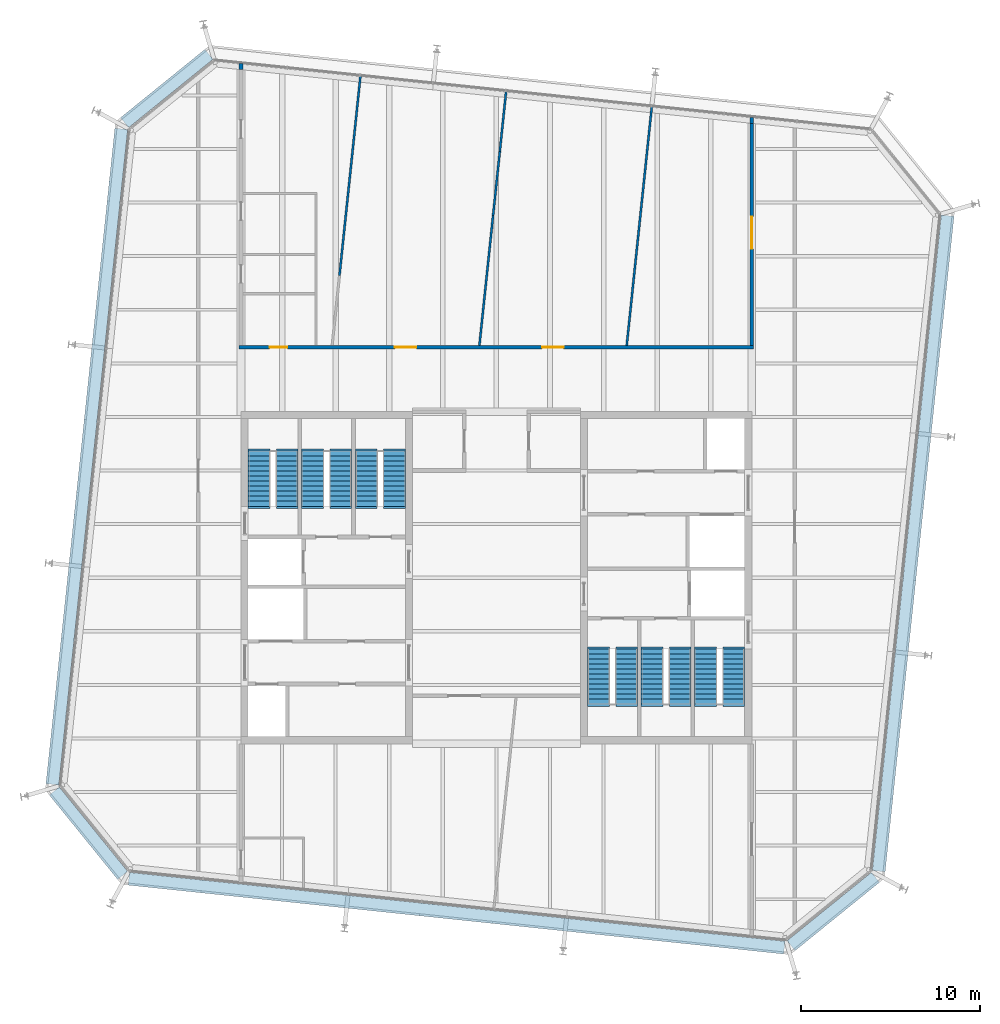
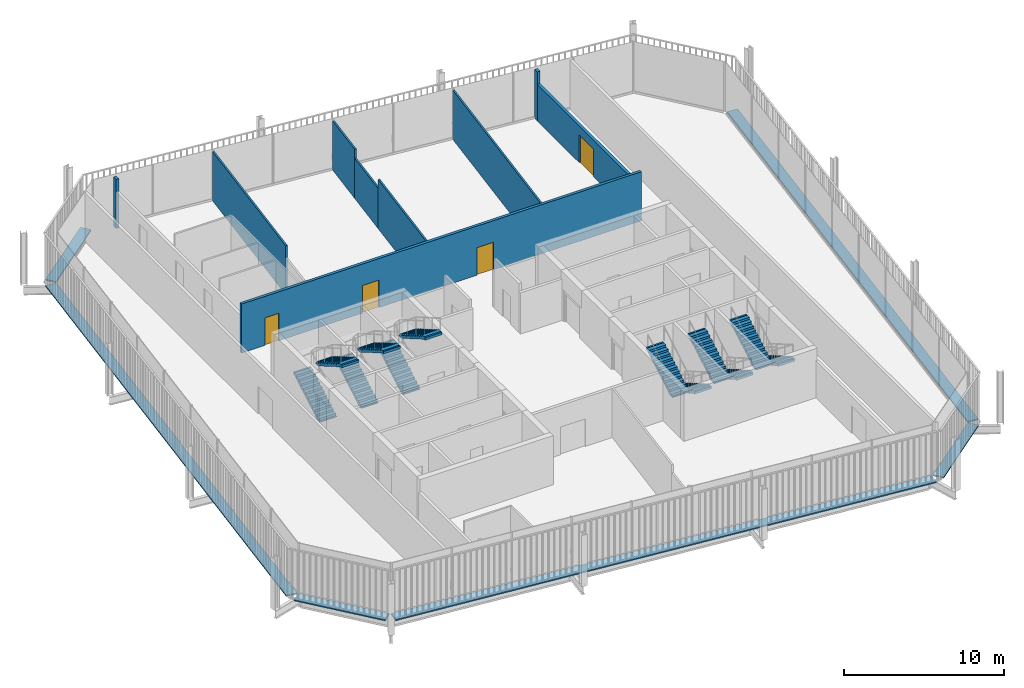
# One storey, part 18 of 20: 12 stair flights, 9 walls, 6 discrete accessories, 4 doors, 4 openings, 6 elements without a shape of their own.
"""IFC4 building model written with IfcOpenShell, lengths in metres."""

from ifc_helpers import new_model, si_unit, direction, frame, frame_2d, origin, origin_2d, place, context, subcontext, project, spatial, polyline, rectangle, outline, extrude, material, layer, layer_set, type_object, element, fill, aggregate, save


model = new_model("IFC4")

# Units and contexts
model_context = context("Model", 3, precision=1e-05, world=origin(), true_north=direction((0.0, 1.0)))
body_context = subcontext(model_context, "Body", "Model", "MODEL_VIEW")
ifc_project = project(units=[si_unit("LENGTHUNIT", "METRE"), si_unit("AREAUNIT", "SQUARE_METRE"), si_unit("VOLUMEUNIT", "CUBIC_METRE"), si_unit("PLANEANGLEUNIT", "RADIAN"), si_unit("MASSUNIT", "GRAM", prefix="KILO")], contexts=[model_context])

# Site, building, storey
site_placement = place(None, origin())
site = spatial("IfcSite", under=ifc_project, at=site_placement, CompositionType="ELEMENT")
building_placement = place(site_placement, origin())
building = spatial("IfcBuilding", under=site, at=building_placement, Name="Millrace Tower", CompositionType="ELEMENT")
storey_placement = place(building_placement, frame((0.0, 0.0, 330.39990234375)))
storey = spatial("IfcBuildingStorey", under=building, at=storey_placement, Name="L76", CompositionType="ELEMENT", Elevation=330.39990234375)

# Wall, openings, doors
ifc_material_1 = material(Name="Masonry partition, fire-rated", Category="masonry")
ifc_layer_1 = layer(ifc_material_1, 0.199951171875)
ifc_layer_set_1 = layer_set([ifc_layer_1], Name="Masonry partition, fire-rated")
wall_type_1 = type_object("IfcWallType", Name="Corridor wall 200", PredefinedType="PARTITIONING", material=ifc_layer_set_1)
wall_1_placement = place(storey_placement, frame((-14.39990234375, 12.89990234375, 0.0), z_axis=(0.0, 0.0, 1.0), x_axis=(1.0, 0.0, 0.0)))
wall_1 = element("IfcWall", 1, at=wall_1_placement, inside=storey, type_object=wall_type_1, Name="Corridor wall L76", PredefinedType="PARTITIONING", context=body_context, shape_type="SweptSolid", body=[
    extrude(rectangle(XDim=28.7998046875, YDim=0.199951171875, at=frame_2d((14.39990234375, 0.0))), origin(), (0.0, 0.0, 1.0), 3.739990234375),
])
opening_1_placement = place(wall_1_placement, frame((1.699951171875, 0.0, 0.0)))
opening_1 = element("IfcOpeningElement", 2, at=opening_1_placement, cuts=wall_1, Name="Opening 76-P005", PredefinedType="OPENING", context=body_context, shape_type="SweptSolid", body=[
    extrude(rectangle(XDim=1.0, YDim=2.10009765625, at=frame_2d((0.5, 1.050048828125))), frame((0.0, 0.10986328125, 0.0), z_axis=(0.0, -1.0, 0.0), x_axis=(1.0, 0.0, 0.0)), (0.0, 0.0, 1.0), 0.219970703125),
])
opening_2_placement = place(wall_1_placement, frame((8.714599609375, 0.0, 0.0)))
opening_2 = element("IfcOpeningElement", 3, at=opening_2_placement, cuts=wall_1, Name="Opening 76-P008", PredefinedType="OPENING", context=body_context, shape_type="SweptSolid", body=[
    extrude(rectangle(XDim=1.199951171875, YDim=2.10009765625, at=frame_2d((0.60009765625, 1.050048828125))), frame((0.0, 0.10986328125, 0.0), z_axis=(0.0, -1.0, 0.0), x_axis=(1.0, 0.0, 0.0)), (0.0, 0.0, 1.0), 0.219970703125),
])
opening_3_placement = place(wall_1_placement, frame((16.9599609375, 0.0, 0.0)))
opening_3 = element("IfcOpeningElement", 4, at=opening_3_placement, cuts=wall_1, Name="Opening 76-P009", PredefinedType="OPENING", context=body_context, shape_type="SweptSolid", body=[
    extrude(rectangle(XDim=1.199951171875, YDim=2.10009765625, at=frame_2d((0.60009765625, 1.050048828125))), frame((0.0, 0.10986328125, 0.0), z_axis=(0.0, -1.0, 0.0), x_axis=(1.0, 0.0, 0.0)), (0.0, 0.0, 1.0), 0.219970703125),
])
ifc_material_2 = material(Name="Steel door set, fire-rated", Category="steel")
door_type_1 = type_object("IfcDoorType", Name="Corridor door 1000 x 2100", OperationType="SINGLE_SWING_LEFT", PredefinedType="DOOR", material=ifc_material_2)
door_1_placement = place(opening_1_placement, origin())
door_1 = element("IfcDoor", 5, at=door_1_placement, inside=storey, type_object=door_type_1, Name="Door 76-P005", OperationType="SINGLE_SWING_LEFT", OverallHeight=2.10009765625, OverallWidth=1.0, PredefinedType="DOOR", context=body_context, shape_type="SweptSolid", body=[
    extrude(rectangle(XDim=1.0, YDim=2.10009765625, at=frame_2d((0.5, 1.050048828125))), frame((0.0, 0.02490234375, 0.0), z_axis=(0.0, -1.0, 0.0), x_axis=(1.0, 0.0, 0.0)), (0.0, 0.0, 1.0), 0.050048828125),
])
fill(opening_1, door_1)
ifc_material_3 = material(Name="Steel door set, fire-rated", Category="steel")
door_type_2 = type_object("IfcDoorType", Name="Corridor door 1200 x 2100", OperationType="SINGLE_SWING_LEFT", PredefinedType="DOOR", material=ifc_material_3)
door_2_placement = place(opening_2_placement, origin())
door_2 = element("IfcDoor", 6, at=door_2_placement, inside=storey, type_object=door_type_2, Name="Door 76-P008", OperationType="SINGLE_SWING_LEFT", OverallHeight=2.10009765625, OverallWidth=1.199951171875, PredefinedType="DOOR", context=body_context, shape_type="SweptSolid", body=[
    extrude(rectangle(XDim=1.199951171875, YDim=2.10009765625, at=frame_2d((0.60009765625, 1.050048828125))), frame((0.0, 0.02490234375, 0.0), z_axis=(0.0, -1.0, 0.0), x_axis=(1.0, 0.0, 0.0)), (0.0, 0.0, 1.0), 0.050048828125),
])
fill(opening_2, door_2)
door_3_placement = place(opening_3_placement, origin())
door_3 = element("IfcDoor", 7, at=door_3_placement, inside=storey, type_object=door_type_2, Name="Door 76-P009", OperationType="SINGLE_SWING_RIGHT", OverallHeight=2.10009765625, OverallWidth=1.199951171875, PredefinedType="DOOR", context=body_context, shape_type="SweptSolid", body=[
    extrude(rectangle(XDim=1.199951171875, YDim=2.10009765625, at=frame_2d((0.60009765625, 1.050048828125))), frame((0.0, 0.02490234375, 0.0), z_axis=(0.0, -1.0, 0.0), x_axis=(1.0, 0.0, 0.0)), (0.0, 0.0, 1.0), 0.050048828125),
])
fill(opening_3, door_3)

# Wall, opening, door
wall_2_placement = place(storey_placement, frame((14.300048828125, 13.0, 0.0), z_axis=(0.0, 0.0, 1.0), x_axis=(0.0, 1.0, 0.0)))
wall_2 = element("IfcWall", 8, at=wall_2_placement, inside=storey, type_object=wall_type_1, Name="Corridor wall L76", PredefinedType="PARTITIONING", context=body_context, shape_type="SweptSolid", body=[
    extrude(rectangle(XDim=12.434326171875, YDim=0.199951171875, at=frame_2d((6.21728515625, 0.0))), origin(), (0.0, 0.0, 1.0), 2.792724609375),
])
opening_4_placement = place(wall_2_placement, frame((5.41162109375, 0.0, 0.0)))
opening_4 = element("IfcOpeningElement", 9, at=opening_4_placement, cuts=wall_2, Name="Opening 76-P010", PredefinedType="OPENING", context=body_context, shape_type="SweptSolid", body=[
    extrude(rectangle(XDim=1.800048828125, YDim=2.10009765625, at=frame_2d((0.89990234375, 1.050048828125))), frame((0.0, 0.10986328125, 0.0), z_axis=(0.0, -1.0, 0.0), x_axis=(1.0, 0.0, 0.0)), (0.0, 0.0, 1.0), 0.219970703125),
])
ifc_material_4 = material(Name="Steel door set, fire-rated", Category="steel")
door_type_3 = type_object("IfcDoorType", Name="Corridor door 1800 x 2100", OperationType="DOUBLE_DOOR_SINGLE_SWING", PredefinedType="DOOR", material=ifc_material_4)
door_4_placement = place(opening_4_placement, origin())
door_4 = element("IfcDoor", 10, at=door_4_placement, inside=storey, type_object=door_type_3, Name="Door 76-P010", OperationType="DOUBLE_DOOR_SINGLE_SWING", OverallHeight=2.10009765625, OverallWidth=1.800048828125, PredefinedType="DOOR", context=body_context, shape_type="SweptSolid", body=[
    extrude(rectangle(XDim=1.800048828125, YDim=2.10009765625, at=frame_2d((0.89990234375, 1.050048828125))), frame((0.0, 0.02490234375, 0.0), z_axis=(0.0, -1.0, 0.0), x_axis=(1.0, 0.0, 0.0)), (0.0, 0.0, 1.0), 0.050048828125),
])
fill(opening_4, door_4)

# Walls
wall_3_placement = place(storey_placement, frame((14.300048828125, 25.434326171875, 0.0), z_axis=(0.0, 0.0, 1.0), x_axis=(0.0, 1.0, 0.0)))
element("IfcWall", 11, at=wall_3_placement, inside=storey, type_object=wall_type_1, Name="Corridor wall L76", PredefinedType="PARTITIONING", context=body_context, shape_type="SweptSolid", body=[
    extrude(rectangle(XDim=0.339111328125, YDim=0.199951171875, at=frame_2d((0.16943359375, 0.0))), origin(), (0.0, 0.0, 1.0), 3.739990234375),
])
wall_4_placement = place(storey_placement, frame((-14.300048828125, 28.440185546875, 0.0), z_axis=(0.0, 0.0, 1.0), x_axis=(0.0, 1.0, 0.0)))
element("IfcWall", 12, at=wall_4_placement, inside=storey, type_object=wall_type_1, Name="Corridor wall L76", PredefinedType="PARTITIONING", context=body_context, shape_type="SweptSolid", body=[
    extrude(rectangle(XDim=0.33935546875, YDim=0.199951171875, at=frame_2d((0.169677734375, 0.0))), origin(), (0.0, 0.0, 1.0), 3.739990234375),
])
ifc_material_5 = material(Name="Gypsum board partition")
ifc_layer_2 = layer(ifc_material_5, 0.1201171875)
ifc_layer_set_2 = layer_set([ifc_layer_2], Name="Gypsum board partition")
wall_type_2 = type_object("IfcWallType", Name="Partition wall 120", PredefinedType="PARTITIONING", material=ifc_layer_set_2)
wall_5_placement = place(storey_placement, frame((7.29345703125, 12.99951171875, 0.0), z_axis=(0.0, 0.0, 1.0), x_axis=(0.104478587956, 0.99452713621, 0.0)))
element("IfcWall", 13, at=wall_5_placement, inside=storey, type_object=wall_type_2, Name="Partition wall L76", PredefinedType="PARTITIONING", context=body_context, shape_type="SweptSolid", body=[
    extrude(rectangle(XDim=13.436279296875, YDim=0.1201171875, at=frame_2d((6.71826171875, 0.0))), origin(), (0.0, 0.0, 1.0), 3.739990234375),
])
wall_6_placement = place(storey_placement, frame((-0.95263671875, 12.99951171875, 0.0), z_axis=(0.0, 0.0, 1.0), x_axis=(0.104545776882, 0.994520075482, 0.0)))
element("IfcWall", 14, at=wall_6_placement, inside=storey, type_object=wall_type_2, Name="Partition wall L76", PredefinedType="PARTITIONING", context=body_context, shape_type="SweptSolid", body=[
    extrude(rectangle(XDim=7.31396484375, YDim=0.1201171875, at=frame_2d((3.656982421875, 0.0))), origin(), (0.0, 0.0, 1.0), 3.739990234375),
])
wall_7_placement = place(storey_placement, frame((-0.18798828125, 20.2734375, 0.0), z_axis=(0.0, 0.0, 1.0), x_axis=(0.104564611651, 0.994518095356, 0.0)))
element("IfcWall", 15, at=wall_7_placement, inside=storey, type_object=wall_type_2, Name="Partition wall L76", PredefinedType="PARTITIONING", context=body_context, shape_type="SweptSolid", body=[
    extrude(rectangle(XDim=3.595703125, YDim=0.1201171875, at=frame_2d((1.7978515625, 0.0))), origin(), (0.0, 0.0, 1.0), 3.046630859375),
])
wall_8_placement = place(storey_placement, frame((0.18798828125, 23.849365234375, 0.0), z_axis=(0.0, 0.0, 1.0), x_axis=(0.104538520452, 0.994520838264, 0.0)))
element("IfcWall", 16, at=wall_8_placement, inside=storey, type_object=wall_type_2, Name="Partition wall L76", PredefinedType="PARTITIONING", context=body_context, shape_type="SweptSolid", body=[
    extrude(rectangle(XDim=3.388671875, YDim=0.1201171875, at=frame_2d((1.6943359375, 0.0))), origin(), (0.0, 0.0, 1.0), 3.739990234375),
])
wall_9_placement = place(storey_placement, frame((-8.78662109375, 16.90869140625, 0.0), z_axis=(0.0, 0.0, 1.0), x_axis=(0.10453086869, 0.994521642545, 0.0)))
element("IfcWall", 17, at=wall_9_placement, inside=storey, type_object=wall_type_2, Name="Partition wall L76", PredefinedType="PARTITIONING", context=body_context, shape_type="SweptSolid", body=[
    extrude(rectangle(XDim=11.2294921875, YDim=0.1201171875, at=frame_2d((5.61474609375, 0.0))), origin(), (0.0, 0.0, 1.0), 3.739990234375),
])

# Stair, stair flights
ifc_material_6 = material(Name="Concrete C35", Category="concrete")
stair_type = type_object("IfcStairType", Name="Exit stair", PredefinedType="HALF_TURN_STAIR", material=ifc_material_6)
placement = place(storey_placement, origin())
stair_1 = element("IfcStair", 18, at=placement, inside=storey, type_object=stair_type, Name="Stair 1 W L76", PredefinedType="HALF_TURN_STAIR")
ifc_material_7 = material(Name="Concrete C35", Category="concrete")
stair_flight_type = type_object("IfcStairFlightType", Name="Exit stair flight", PredefinedType="STRAIGHT", material=ifc_material_7)
stair_flight_1_placement = place(storey_placement, frame((-13.2900390625, 4.0, 0.0), z_axis=(0.0, 0.0, 1.0), x_axis=(0.0, 1.0, 0.0)))
stair_flight_1 = element("IfcStairFlight", 19, at=stair_flight_1_placement, type_object=stair_flight_type, Name="ST12 flight 1", NumberOfRisers=12, NumberOfTreads=11, PredefinedType="STRAIGHT", RiserHeight=0.1625, TreadLength=0.28, context=body_context, shape_type="SweptSolid", body=[
    extrude(outline(polyline([(-0.1201171875, -0.0400390625), (-0.1201171875, 0.0), (0.0, 0.0), (0.0, 0.16259765625), (0.280029296875, 0.16259765625), (0.280029296875, 0.324951171875), (0.56005859375, 0.324951171875), (0.56005859375, 0.487548828125), (0.840087890625, 0.487548828125), (0.840087890625, 0.64990234375), (1.1201171875, 0.64990234375), (1.1201171875, 0.8125), (1.39990234375, 0.8125), (1.39990234375, 0.97509765625), (1.679931640625, 0.97509765625), (1.679931640625, 1.137451171875), (1.9599609375, 1.137451171875), (1.9599609375, 1.300048828125), (2.239990234375, 1.300048828125), (2.239990234375, 1.46240234375), (2.52001953125, 1.46240234375), (2.52001953125, 1.625), (2.800048828125, 1.625), (2.800048828125, 1.78759765625), (3.080078125, 1.78759765625), (3.080078125, 1.8076171875), (3.199951171875, 1.8076171875), (3.199951171875, 1.6142578125), (3.080078125, 1.6142578125), (0.298583984375, 0.0), (0.298583984375, -0.0400390625), (-0.1201171875, -0.0400390625)])), frame((0.0, 0.60986328125, 0.0), z_axis=(0.0, -1.0, 0.0), x_axis=(1.0, 0.0, 0.0)), (0.0, 0.0, 1.0), 1.219970703125),
])
stair_flight_2_placement = place(storey_placement, frame((-11.7099609375, 7.080078125, 1.9501953125), z_axis=(0.0, 0.0, 1.0), x_axis=(0.0, -1.0, 0.0)))
stair_flight_2 = element("IfcStairFlight", 20, at=stair_flight_2_placement, type_object=stair_flight_type, Name="ST12 flight 2", NumberOfRisers=12, NumberOfTreads=11, PredefinedType="STRAIGHT", RiserHeight=0.1625, TreadLength=0.28, context=body_context, shape_type="SweptSolid", body=[
    extrude(outline(polyline([(-0.1201171875, -0.0400390625), (-0.1201171875, 0.0), (0.0, 0.0), (0.0, 0.16259765625), (0.280029296875, 0.16259765625), (0.280029296875, 0.324951171875), (0.56005859375, 0.324951171875), (0.56005859375, 0.487548828125), (0.840087890625, 0.487548828125), (0.840087890625, 0.64990234375), (1.1201171875, 0.64990234375), (1.1201171875, 0.8125), (1.39990234375, 0.8125), (1.39990234375, 0.97509765625), (1.679931640625, 0.97509765625), (1.679931640625, 1.137451171875), (1.9599609375, 1.137451171875), (1.9599609375, 1.300048828125), (2.239990234375, 1.300048828125), (2.239990234375, 1.46240234375), (2.52001953125, 1.46240234375), (2.52001953125, 1.625), (2.800048828125, 1.625), (2.800048828125, 1.78759765625), (3.080078125, 1.78759765625), (3.080078125, 1.8076171875), (3.199951171875, 1.8076171875), (3.199951171875, 1.6142578125), (3.080078125, 1.6142578125), (0.298583984375, 0.0), (0.298583984375, -0.0400390625), (-0.1201171875, -0.0400390625)])), frame((0.0, 0.60986328125, 0.0), z_axis=(0.0, -1.0, 0.0), x_axis=(1.0, 0.0, 0.0)), (0.0, 0.0, 1.0), 1.219970703125),
])
aggregate(stair_1, [stair_flight_1, stair_flight_2])

stair_2 = element("IfcStair", 21, at=placement, inside=storey, type_object=stair_type, Name="Stair 2 W L76", PredefinedType="HALF_TURN_STAIR")
stair_flight_3_placement = place(storey_placement, frame((-10.2900390625, 4.0, 0.0), z_axis=(0.0, 0.0, 1.0), x_axis=(0.0, 1.0, 0.0)))
stair_flight_3 = element("IfcStairFlight", 22, at=stair_flight_3_placement, type_object=stair_flight_type, Name="ST12 flight 1", NumberOfRisers=12, NumberOfTreads=11, PredefinedType="STRAIGHT", RiserHeight=0.1625, TreadLength=0.28, context=body_context, shape_type="SweptSolid", body=[
    extrude(outline(polyline([(-0.1201171875, -0.0400390625), (-0.1201171875, 0.0), (0.0, 0.0), (0.0, 0.16259765625), (0.280029296875, 0.16259765625), (0.280029296875, 0.324951171875), (0.56005859375, 0.324951171875), (0.56005859375, 0.487548828125), (0.840087890625, 0.487548828125), (0.840087890625, 0.64990234375), (1.1201171875, 0.64990234375), (1.1201171875, 0.8125), (1.39990234375, 0.8125), (1.39990234375, 0.97509765625), (1.679931640625, 0.97509765625), (1.679931640625, 1.137451171875), (1.9599609375, 1.137451171875), (1.9599609375, 1.300048828125), (2.239990234375, 1.300048828125), (2.239990234375, 1.46240234375), (2.52001953125, 1.46240234375), (2.52001953125, 1.625), (2.800048828125, 1.625), (2.800048828125, 1.78759765625), (3.080078125, 1.78759765625), (3.080078125, 1.8076171875), (3.199951171875, 1.8076171875), (3.199951171875, 1.6142578125), (3.080078125, 1.6142578125), (0.298583984375, 0.0), (0.298583984375, -0.0400390625), (-0.1201171875, -0.0400390625)])), frame((0.0, 0.60986328125, 0.0), z_axis=(0.0, -1.0, 0.0), x_axis=(1.0, 0.0, 0.0)), (0.0, 0.0, 1.0), 1.219970703125),
])
stair_flight_4_placement = place(storey_placement, frame((-8.7099609375, 7.080078125, 1.9501953125), z_axis=(0.0, 0.0, 1.0), x_axis=(0.0, -1.0, 0.0)))
stair_flight_4 = element("IfcStairFlight", 23, at=stair_flight_4_placement, type_object=stair_flight_type, Name="ST12 flight 2", NumberOfRisers=12, NumberOfTreads=11, PredefinedType="STRAIGHT", RiserHeight=0.1625, TreadLength=0.28, context=body_context, shape_type="SweptSolid", body=[
    extrude(outline(polyline([(-0.1201171875, -0.0400390625), (-0.1201171875, 0.0), (0.0, 0.0), (0.0, 0.16259765625), (0.280029296875, 0.16259765625), (0.280029296875, 0.324951171875), (0.56005859375, 0.324951171875), (0.56005859375, 0.487548828125), (0.840087890625, 0.487548828125), (0.840087890625, 0.64990234375), (1.1201171875, 0.64990234375), (1.1201171875, 0.8125), (1.39990234375, 0.8125), (1.39990234375, 0.97509765625), (1.679931640625, 0.97509765625), (1.679931640625, 1.137451171875), (1.9599609375, 1.137451171875), (1.9599609375, 1.300048828125), (2.239990234375, 1.300048828125), (2.239990234375, 1.46240234375), (2.52001953125, 1.46240234375), (2.52001953125, 1.625), (2.800048828125, 1.625), (2.800048828125, 1.78759765625), (3.080078125, 1.78759765625), (3.080078125, 1.8076171875), (3.199951171875, 1.8076171875), (3.199951171875, 1.6142578125), (3.080078125, 1.6142578125), (0.298583984375, 0.0), (0.298583984375, -0.0400390625), (-0.1201171875, -0.0400390625)])), frame((0.0, 0.60986328125, 0.0), z_axis=(0.0, -1.0, 0.0), x_axis=(1.0, 0.0, 0.0)), (0.0, 0.0, 1.0), 1.219970703125),
])
aggregate(stair_2, [stair_flight_3, stair_flight_4])

stair_3 = element("IfcStair", 24, at=placement, inside=storey, type_object=stair_type, Name="Stair 3 W L76", PredefinedType="HALF_TURN_STAIR")
stair_flight_5_placement = place(storey_placement, frame((-7.2900390625, 4.0, 0.0), z_axis=(0.0, 0.0, 1.0), x_axis=(0.0, 1.0, 0.0)))
stair_flight_5 = element("IfcStairFlight", 25, at=stair_flight_5_placement, type_object=stair_flight_type, Name="ST12 flight 1", NumberOfRisers=12, NumberOfTreads=11, PredefinedType="STRAIGHT", RiserHeight=0.1625, TreadLength=0.28, context=body_context, shape_type="SweptSolid", body=[
    extrude(outline(polyline([(-0.1201171875, -0.0400390625), (-0.1201171875, 0.0), (0.0, 0.0), (0.0, 0.16259765625), (0.280029296875, 0.16259765625), (0.280029296875, 0.324951171875), (0.56005859375, 0.324951171875), (0.56005859375, 0.487548828125), (0.840087890625, 0.487548828125), (0.840087890625, 0.64990234375), (1.1201171875, 0.64990234375), (1.1201171875, 0.8125), (1.39990234375, 0.8125), (1.39990234375, 0.97509765625), (1.679931640625, 0.97509765625), (1.679931640625, 1.137451171875), (1.9599609375, 1.137451171875), (1.9599609375, 1.300048828125), (2.239990234375, 1.300048828125), (2.239990234375, 1.46240234375), (2.52001953125, 1.46240234375), (2.52001953125, 1.625), (2.800048828125, 1.625), (2.800048828125, 1.78759765625), (3.080078125, 1.78759765625), (3.080078125, 1.8076171875), (3.199951171875, 1.8076171875), (3.199951171875, 1.6142578125), (3.080078125, 1.6142578125), (0.298583984375, 0.0), (0.298583984375, -0.0400390625), (-0.1201171875, -0.0400390625)])), frame((0.0, 0.60986328125, 0.0), z_axis=(0.0, -1.0, 0.0), x_axis=(1.0, 0.0, 0.0)), (0.0, 0.0, 1.0), 1.219970703125),
])
stair_flight_6_placement = place(storey_placement, frame((-5.7099609375, 7.080078125, 1.9501953125), z_axis=(0.0, 0.0, 1.0), x_axis=(0.0, -1.0, 0.0)))
stair_flight_6 = element("IfcStairFlight", 26, at=stair_flight_6_placement, type_object=stair_flight_type, Name="ST12 flight 2", NumberOfRisers=12, NumberOfTreads=11, PredefinedType="STRAIGHT", RiserHeight=0.1625, TreadLength=0.28, context=body_context, shape_type="SweptSolid", body=[
    extrude(outline(polyline([(-0.1201171875, -0.0400390625), (-0.1201171875, 0.0), (0.0, 0.0), (0.0, 0.16259765625), (0.280029296875, 0.16259765625), (0.280029296875, 0.324951171875), (0.56005859375, 0.324951171875), (0.56005859375, 0.487548828125), (0.840087890625, 0.487548828125), (0.840087890625, 0.64990234375), (1.1201171875, 0.64990234375), (1.1201171875, 0.8125), (1.39990234375, 0.8125), (1.39990234375, 0.97509765625), (1.679931640625, 0.97509765625), (1.679931640625, 1.137451171875), (1.9599609375, 1.137451171875), (1.9599609375, 1.300048828125), (2.239990234375, 1.300048828125), (2.239990234375, 1.46240234375), (2.52001953125, 1.46240234375), (2.52001953125, 1.625), (2.800048828125, 1.625), (2.800048828125, 1.78759765625), (3.080078125, 1.78759765625), (3.080078125, 1.8076171875), (3.199951171875, 1.8076171875), (3.199951171875, 1.6142578125), (3.080078125, 1.6142578125), (0.298583984375, 0.0), (0.298583984375, -0.0400390625), (-0.1201171875, -0.0400390625)])), frame((0.0, 0.60986328125, 0.0), z_axis=(0.0, -1.0, 0.0), x_axis=(1.0, 0.0, 0.0)), (0.0, 0.0, 1.0), 1.219970703125),
])
aggregate(stair_3, [stair_flight_5, stair_flight_6])

stair_4 = element("IfcStair", 27, at=placement, inside=storey, type_object=stair_type, Name="Stair 1 E L76", PredefinedType="HALF_TURN_STAIR")
stair_flight_7_placement = place(storey_placement, frame((13.2900390625, -4.0, 0.0), z_axis=(0.0, 0.0, 1.0), x_axis=(0.0, -1.0, 0.0)))
stair_flight_7 = element("IfcStairFlight", 28, at=stair_flight_7_placement, type_object=stair_flight_type, Name="ST12 flight 1", NumberOfRisers=12, NumberOfTreads=11, PredefinedType="STRAIGHT", RiserHeight=0.1625, TreadLength=0.28, context=body_context, shape_type="SweptSolid", body=[
    extrude(outline(polyline([(-0.1201171875, -0.0400390625), (-0.1201171875, 0.0), (0.0, 0.0), (0.0, 0.16259765625), (0.280029296875, 0.16259765625), (0.280029296875, 0.324951171875), (0.56005859375, 0.324951171875), (0.56005859375, 0.487548828125), (0.840087890625, 0.487548828125), (0.840087890625, 0.64990234375), (1.1201171875, 0.64990234375), (1.1201171875, 0.8125), (1.39990234375, 0.8125), (1.39990234375, 0.97509765625), (1.679931640625, 0.97509765625), (1.679931640625, 1.137451171875), (1.9599609375, 1.137451171875), (1.9599609375, 1.300048828125), (2.239990234375, 1.300048828125), (2.239990234375, 1.46240234375), (2.52001953125, 1.46240234375), (2.52001953125, 1.625), (2.800048828125, 1.625), (2.800048828125, 1.78759765625), (3.080078125, 1.78759765625), (3.080078125, 1.8076171875), (3.199951171875, 1.8076171875), (3.199951171875, 1.6142578125), (3.080078125, 1.6142578125), (0.298583984375, 0.0), (0.298583984375, -0.0400390625), (-0.1201171875, -0.0400390625)])), frame((0.0, 0.60986328125, 0.0), z_axis=(0.0, -1.0, 0.0), x_axis=(1.0, 0.0, 0.0)), (0.0, 0.0, 1.0), 1.219970703125),
])
stair_flight_8_placement = place(storey_placement, frame((11.7099609375, -7.080078125, 1.9501953125), z_axis=(0.0, 0.0, 1.0), x_axis=(0.0, 1.0, 0.0)))
stair_flight_8 = element("IfcStairFlight", 29, at=stair_flight_8_placement, type_object=stair_flight_type, Name="ST12 flight 2", NumberOfRisers=12, NumberOfTreads=11, PredefinedType="STRAIGHT", RiserHeight=0.1625, TreadLength=0.28, context=body_context, shape_type="SweptSolid", body=[
    extrude(outline(polyline([(-0.1201171875, -0.0400390625), (-0.1201171875, 0.0), (0.0, 0.0), (0.0, 0.16259765625), (0.280029296875, 0.16259765625), (0.280029296875, 0.324951171875), (0.56005859375, 0.324951171875), (0.56005859375, 0.487548828125), (0.840087890625, 0.487548828125), (0.840087890625, 0.64990234375), (1.1201171875, 0.64990234375), (1.1201171875, 0.8125), (1.39990234375, 0.8125), (1.39990234375, 0.97509765625), (1.679931640625, 0.97509765625), (1.679931640625, 1.137451171875), (1.9599609375, 1.137451171875), (1.9599609375, 1.300048828125), (2.239990234375, 1.300048828125), (2.239990234375, 1.46240234375), (2.52001953125, 1.46240234375), (2.52001953125, 1.625), (2.800048828125, 1.625), (2.800048828125, 1.78759765625), (3.080078125, 1.78759765625), (3.080078125, 1.8076171875), (3.199951171875, 1.8076171875), (3.199951171875, 1.6142578125), (3.080078125, 1.6142578125), (0.298583984375, 0.0), (0.298583984375, -0.0400390625), (-0.1201171875, -0.0400390625)])), frame((0.0, 0.60986328125, 0.0), z_axis=(0.0, -1.0, 0.0), x_axis=(1.0, 0.0, 0.0)), (0.0, 0.0, 1.0), 1.219970703125),
])
aggregate(stair_4, [stair_flight_7, stair_flight_8])

stair_5 = element("IfcStair", 30, at=placement, inside=storey, type_object=stair_type, Name="Stair 2 E L76", PredefinedType="HALF_TURN_STAIR")
stair_flight_9_placement = place(storey_placement, frame((10.2900390625, -4.0, 0.0), z_axis=(0.0, 0.0, 1.0), x_axis=(0.0, -1.0, 0.0)))
stair_flight_9 = element("IfcStairFlight", 31, at=stair_flight_9_placement, type_object=stair_flight_type, Name="ST12 flight 1", NumberOfRisers=12, NumberOfTreads=11, PredefinedType="STRAIGHT", RiserHeight=0.1625, TreadLength=0.28, context=body_context, shape_type="SweptSolid", body=[
    extrude(outline(polyline([(-0.1201171875, -0.0400390625), (-0.1201171875, 0.0), (0.0, 0.0), (0.0, 0.16259765625), (0.280029296875, 0.16259765625), (0.280029296875, 0.324951171875), (0.56005859375, 0.324951171875), (0.56005859375, 0.487548828125), (0.840087890625, 0.487548828125), (0.840087890625, 0.64990234375), (1.1201171875, 0.64990234375), (1.1201171875, 0.8125), (1.39990234375, 0.8125), (1.39990234375, 0.97509765625), (1.679931640625, 0.97509765625), (1.679931640625, 1.137451171875), (1.9599609375, 1.137451171875), (1.9599609375, 1.300048828125), (2.239990234375, 1.300048828125), (2.239990234375, 1.46240234375), (2.52001953125, 1.46240234375), (2.52001953125, 1.625), (2.800048828125, 1.625), (2.800048828125, 1.78759765625), (3.080078125, 1.78759765625), (3.080078125, 1.8076171875), (3.199951171875, 1.8076171875), (3.199951171875, 1.6142578125), (3.080078125, 1.6142578125), (0.298583984375, 0.0), (0.298583984375, -0.0400390625), (-0.1201171875, -0.0400390625)])), frame((0.0, 0.60986328125, 0.0), z_axis=(0.0, -1.0, 0.0), x_axis=(1.0, 0.0, 0.0)), (0.0, 0.0, 1.0), 1.219970703125),
])
stair_flight_10_placement = place(storey_placement, frame((8.7099609375, -7.080078125, 1.9501953125), z_axis=(0.0, 0.0, 1.0), x_axis=(0.0, 1.0, 0.0)))
stair_flight_10 = element("IfcStairFlight", 32, at=stair_flight_10_placement, type_object=stair_flight_type, Name="ST12 flight 2", NumberOfRisers=12, NumberOfTreads=11, PredefinedType="STRAIGHT", RiserHeight=0.1625, TreadLength=0.28, context=body_context, shape_type="SweptSolid", body=[
    extrude(outline(polyline([(-0.1201171875, -0.0400390625), (-0.1201171875, 0.0), (0.0, 0.0), (0.0, 0.16259765625), (0.280029296875, 0.16259765625), (0.280029296875, 0.324951171875), (0.56005859375, 0.324951171875), (0.56005859375, 0.487548828125), (0.840087890625, 0.487548828125), (0.840087890625, 0.64990234375), (1.1201171875, 0.64990234375), (1.1201171875, 0.8125), (1.39990234375, 0.8125), (1.39990234375, 0.97509765625), (1.679931640625, 0.97509765625), (1.679931640625, 1.137451171875), (1.9599609375, 1.137451171875), (1.9599609375, 1.300048828125), (2.239990234375, 1.300048828125), (2.239990234375, 1.46240234375), (2.52001953125, 1.46240234375), (2.52001953125, 1.625), (2.800048828125, 1.625), (2.800048828125, 1.78759765625), (3.080078125, 1.78759765625), (3.080078125, 1.8076171875), (3.199951171875, 1.8076171875), (3.199951171875, 1.6142578125), (3.080078125, 1.6142578125), (0.298583984375, 0.0), (0.298583984375, -0.0400390625), (-0.1201171875, -0.0400390625)])), frame((0.0, 0.60986328125, 0.0), z_axis=(0.0, -1.0, 0.0), x_axis=(1.0, 0.0, 0.0)), (0.0, 0.0, 1.0), 1.219970703125),
])
aggregate(stair_5, [stair_flight_9, stair_flight_10])

stair_6 = element("IfcStair", 33, at=placement, inside=storey, type_object=stair_type, Name="Stair 3 E L76", PredefinedType="HALF_TURN_STAIR")
stair_flight_11_placement = place(storey_placement, frame((7.2900390625, -4.0, 0.0), z_axis=(0.0, 0.0, 1.0), x_axis=(0.0, -1.0, 0.0)))
stair_flight_11 = element("IfcStairFlight", 34, at=stair_flight_11_placement, type_object=stair_flight_type, Name="ST12 flight 1", NumberOfRisers=12, NumberOfTreads=11, PredefinedType="STRAIGHT", RiserHeight=0.1625, TreadLength=0.28, context=body_context, shape_type="SweptSolid", body=[
    extrude(outline(polyline([(-0.1201171875, -0.0400390625), (-0.1201171875, 0.0), (0.0, 0.0), (0.0, 0.16259765625), (0.280029296875, 0.16259765625), (0.280029296875, 0.324951171875), (0.56005859375, 0.324951171875), (0.56005859375, 0.487548828125), (0.840087890625, 0.487548828125), (0.840087890625, 0.64990234375), (1.1201171875, 0.64990234375), (1.1201171875, 0.8125), (1.39990234375, 0.8125), (1.39990234375, 0.97509765625), (1.679931640625, 0.97509765625), (1.679931640625, 1.137451171875), (1.9599609375, 1.137451171875), (1.9599609375, 1.300048828125), (2.239990234375, 1.300048828125), (2.239990234375, 1.46240234375), (2.52001953125, 1.46240234375), (2.52001953125, 1.625), (2.800048828125, 1.625), (2.800048828125, 1.78759765625), (3.080078125, 1.78759765625), (3.080078125, 1.8076171875), (3.199951171875, 1.8076171875), (3.199951171875, 1.6142578125), (3.080078125, 1.6142578125), (0.298583984375, 0.0), (0.298583984375, -0.0400390625), (-0.1201171875, -0.0400390625)])), frame((0.0, 0.60986328125, 0.0), z_axis=(0.0, -1.0, 0.0), x_axis=(1.0, 0.0, 0.0)), (0.0, 0.0, 1.0), 1.219970703125),
])
stair_flight_12_placement = place(storey_placement, frame((5.7099609375, -7.080078125, 1.9501953125), z_axis=(0.0, 0.0, 1.0), x_axis=(0.0, 1.0, 0.0)))
stair_flight_12 = element("IfcStairFlight", 35, at=stair_flight_12_placement, type_object=stair_flight_type, Name="ST12 flight 2", NumberOfRisers=12, NumberOfTreads=11, PredefinedType="STRAIGHT", RiserHeight=0.1625, TreadLength=0.28, context=body_context, shape_type="SweptSolid", body=[
    extrude(outline(polyline([(-0.1201171875, -0.0400390625), (-0.1201171875, 0.0), (0.0, 0.0), (0.0, 0.16259765625), (0.280029296875, 0.16259765625), (0.280029296875, 0.324951171875), (0.56005859375, 0.324951171875), (0.56005859375, 0.487548828125), (0.840087890625, 0.487548828125), (0.840087890625, 0.64990234375), (1.1201171875, 0.64990234375), (1.1201171875, 0.8125), (1.39990234375, 0.8125), (1.39990234375, 0.97509765625), (1.679931640625, 0.97509765625), (1.679931640625, 1.137451171875), (1.9599609375, 1.137451171875), (1.9599609375, 1.300048828125), (2.239990234375, 1.300048828125), (2.239990234375, 1.46240234375), (2.52001953125, 1.46240234375), (2.52001953125, 1.625), (2.800048828125, 1.625), (2.800048828125, 1.78759765625), (3.080078125, 1.78759765625), (3.080078125, 1.8076171875), (3.199951171875, 1.8076171875), (3.199951171875, 1.6142578125), (3.080078125, 1.6142578125), (0.298583984375, 0.0), (0.298583984375, -0.0400390625), (-0.1201171875, -0.0400390625)])), frame((0.0, 0.60986328125, 0.0), z_axis=(0.0, -1.0, 0.0), x_axis=(1.0, 0.0, 0.0)), (0.0, 0.0, 1.0), 1.219970703125),
])
aggregate(stair_6, [stair_flight_11, stair_flight_12])

# Discrete accessories
ifc_material_8 = material(Name="Stainless steel ASTM A240 type 316", Category="steel")
discrete_accessory_type = type_object("IfcDiscreteAccessoryType", Name="Thermally broken screen support rail", PredefinedType="BRACKET", material=ifc_material_8)
discrete_accessory_1_placement = place(storey_placement, frame((-22.836669921875, -14.304931640625, 0.0), z_axis=(0.0, 0.0, 1.0), x_axis=(0.629320278945, -0.777146052237, 0.0)))
element("IfcDiscreteAccessory", 36, at=discrete_accessory_1_placement, inside=storey, type_object=discrete_accessory_type, Name="Thermally broken screen support rail E-F01 L76 1", PredefinedType="BRACKET", context=body_context, shape_type="SweptSolid", body=[
    extrude(rectangle(XDim=6.0810546875, YDim=0.719970703125, at=origin_2d()), origin(), (0.0, 0.0, 1.0), 0.10009765625),
])
discrete_accessory_2_placement = place(storey_placement, frame((-2.2314453125, -18.782470703125, 0.0), z_axis=(0.0, 0.0, 1.0), x_axis=(0.994521896217, -0.104528455196, 0.0)))
element("IfcDiscreteAccessory", 37, at=discrete_accessory_2_placement, inside=storey, type_object=discrete_accessory_type, Name="Thermally broken screen support rail E-F02 L76 1", PredefinedType="BRACKET", context=body_context, shape_type="SweptSolid", body=[
    extrude(rectangle(XDim=36.89990234375, YDim=0.719970703125, at=origin_2d()), origin(), (0.0, 0.0, 1.0), 0.10009765625),
])
discrete_accessory_3_placement = place(storey_placement, frame((18.854736328125, -18.686767578125, 0.0), z_axis=(0.0, 0.0, 1.0), x_axis=(0.777146052237, 0.629320278945, 0.0)))
element("IfcDiscreteAccessory", 38, at=discrete_accessory_3_placement, inside=storey, type_object=discrete_accessory_type, Name="Thermally broken screen support rail E-F03 L76 1", PredefinedType="BRACKET", context=body_context, shape_type="SweptSolid", body=[
    extrude(rectangle(XDim=6.0810546875, YDim=0.719970703125, at=origin_2d()), origin(), (0.0, 0.0, 1.0), 0.10009765625),
])
discrete_accessory_4_placement = place(storey_placement, frame((23.33251953125, 1.918701171875, 0.0), z_axis=(0.0, 0.0, 1.0), x_axis=(0.104528455196, 0.994521896217, 0.0)))
element("IfcDiscreteAccessory", 39, at=discrete_accessory_4_placement, inside=storey, type_object=discrete_accessory_type, Name="Thermally broken screen support rail E-F04 L76 1", PredefinedType="BRACKET", context=body_context, shape_type="SweptSolid", body=[
    extrude(rectangle(XDim=36.89990234375, YDim=0.719970703125, at=origin_2d()), origin(), (0.0, 0.0, 1.0), 0.10009765625),
])
discrete_accessory_5_placement = place(storey_placement, frame((-18.454833984375, 27.38671875, 0.0), z_axis=(0.0, 0.0, 1.0), x_axis=(-0.777146052237, -0.629320278945, 0.0)))
element("IfcDiscreteAccessory", 40, at=discrete_accessory_5_placement, inside=storey, type_object=discrete_accessory_type, Name="Thermally broken screen support rail E-F07 L76 1", PredefinedType="BRACKET", context=body_context, shape_type="SweptSolid", body=[
    extrude(rectangle(XDim=6.0810546875, YDim=0.719970703125, at=origin_2d()), origin(), (0.0, 0.0, 1.0), 0.10009765625),
])
discrete_accessory_6_placement = place(storey_placement, frame((-22.9326171875, 6.78125, 0.0), z_axis=(0.0, 0.0, 1.0), x_axis=(-0.104528455196, -0.994521896217, 0.0)))
element("IfcDiscreteAccessory", 41, at=discrete_accessory_6_placement, inside=storey, type_object=discrete_accessory_type, Name="Thermally broken screen support rail E-F08 L76 1", PredefinedType="BRACKET", context=body_context, shape_type="SweptSolid", body=[
    extrude(rectangle(XDim=36.89990234375, YDim=0.719970703125, at=origin_2d()), origin(), (0.0, 0.0, 1.0), 0.10009765625),
])

save(model, "model.ifc")
